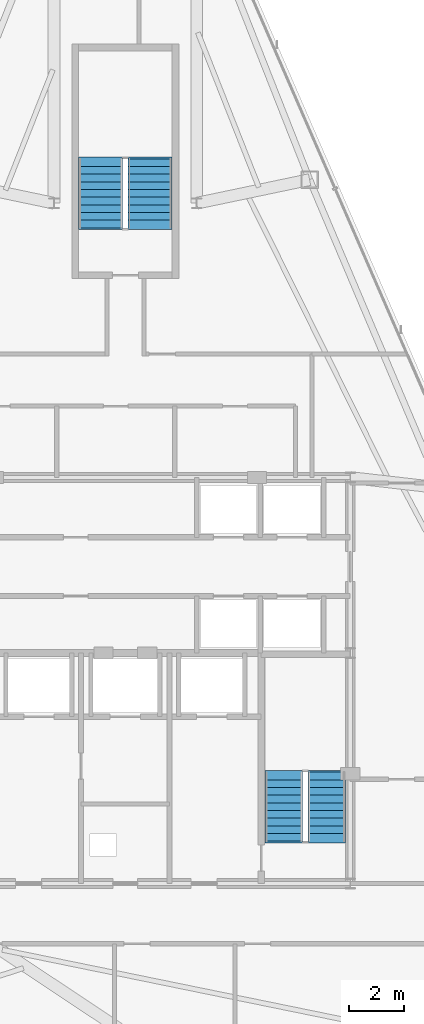
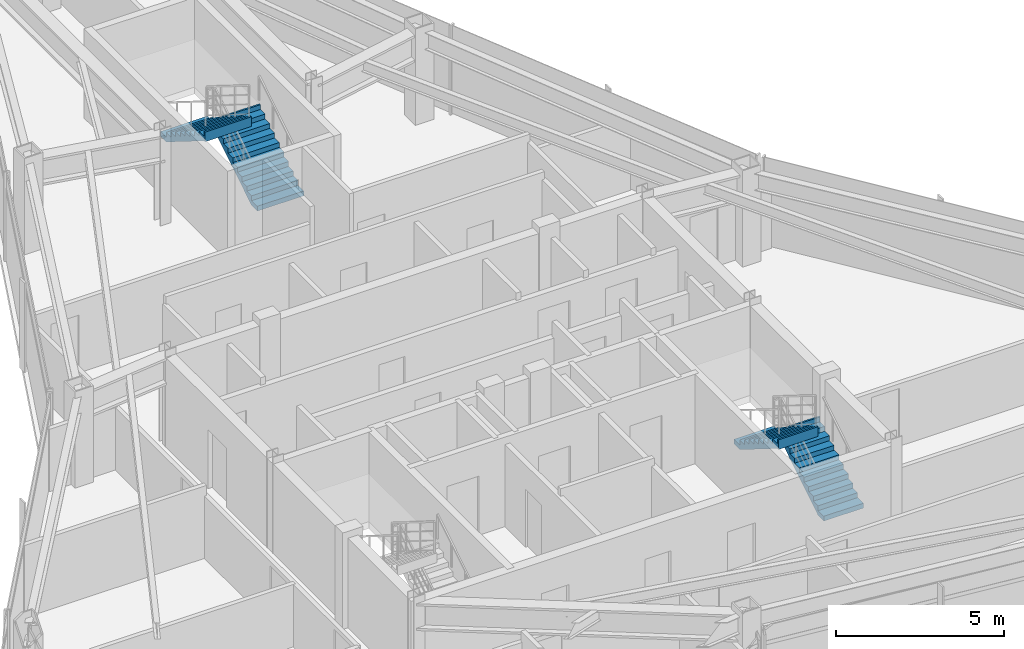
# One storey, part 11 of 12: 4 stair flights, 2 elements without a shape of their own.
"""IFC4 building model written with IfcOpenShell, lengths in metres."""

from ifc_helpers import new_model, si_unit, direction, frame, origin, place, context, subcontext, project, spatial, polyline, outline, extrude, material, type_object, element, aggregate, save


model = new_model("IFC4")

# Units and contexts
model_context = context("Model", 3, precision=1e-05, world=origin(), true_north=direction((0.0, 1.0)))
body_context = subcontext(model_context, "Body", "Model", "MODEL_VIEW")
ifc_project = project(units=[si_unit("LENGTHUNIT", "METRE"), si_unit("AREAUNIT", "SQUARE_METRE"), si_unit("VOLUMEUNIT", "CUBIC_METRE"), si_unit("PLANEANGLEUNIT", "RADIAN"), si_unit("MASSUNIT", "GRAM", prefix="KILO")], contexts=[model_context])

# Site, building, storey
site_placement = place(None, origin())
site = spatial("IfcSite", under=ifc_project, at=site_placement, CompositionType="ELEMENT")
building_placement = place(site_placement, origin())
building = spatial("IfcBuilding", under=site, at=building_placement, Name="Varakhsha Concourse Tower", CompositionType="ELEMENT")
storey_placement = place(building_placement, frame((0.0, 0.0, 283.0)))
storey = spatial("IfcBuildingStorey", under=building, at=storey_placement, Name="L80", CompositionType="ELEMENT", Elevation=283.0)

# Stair, stair flights
ifc_material = material(Name="Concrete fc 45 MPa", Category="concrete")
stair_type_1 = type_object("IfcStairType", Name="ST-DOGLEG-1360", PredefinedType="HALF_TURN_STAIR", material=ifc_material)
stair_1_placement = place(storey_placement, origin())
stair_1 = element("IfcStair", 1, at=stair_1_placement, inside=storey, type_object=stair_type_1, Name="L80 Protected Exit Stair ST2", PredefinedType="HALF_TURN_STAIR")
stair_flight_type_1 = type_object("IfcStairFlightType", Name="STF-1360-R1750", PredefinedType="STRAIGHT", material=ifc_material)
stair_flight_1_placement = place(storey_placement, frame((47.340087890625, 17.93994140625, 0.0), z_axis=(0.0, 0.0, 1.0), x_axis=(0.0, 1.0, 0.0)))
stair_flight_1 = element("IfcStairFlight", 2, at=stair_flight_1_placement, type_object=stair_flight_type_1, Name="ST2 flight 1", NumberOfRisers=10, NumberOfTreads=9, PredefinedType="STRAIGHT", RiserHeight=0.175, TreadLength=0.28, context=body_context, shape_type="SweptSolid", body=[
    extrude(outline(polyline([(-0.06005859375, 0.0), (-0.06005859375, 0.175048828125), (0.0, 0.175048828125), (0.280029296875, 0.175048828125), (0.280029296875, 0.35009765625), (0.56005859375, 0.35009765625), (0.56005859375, 0.52490234375), (0.840087890625, 0.52490234375), (0.840087890625, 0.699951171875), (1.1201171875, 0.699951171875), (1.1201171875, 0.875), (1.39990234375, 0.875), (1.39990234375, 1.050048828125), (1.679931640625, 1.050048828125), (1.679931640625, 1.22509765625), (1.9599609375, 1.22509765625), (1.9599609375, 1.39990234375), (2.239990234375, 1.39990234375), (2.239990234375, 1.574951171875), (2.52001953125, 1.574951171875), (2.52001953125, 1.75), (2.580078125, 1.75), (2.580078125, 1.398193359375), (2.52001953125, 1.398193359375), (0.28271484375, 0.0), (-0.06005859375, 0.0)])), frame((0.0, 0.68017578125, 0.0), z_axis=(0.0, -1.0, 0.0), x_axis=(1.0, 0.0, 0.0)), (0.0, 0.0, 1.0), 1.360107421875),
])
stair_flight_2_placement = place(storey_placement, frame((45.780029296875, 20.4599609375, 1.75), z_axis=(0.0, 0.0, 1.0), x_axis=(0.0, -1.0, 0.0)))
stair_flight_2 = element("IfcStairFlight", 3, at=stair_flight_2_placement, type_object=stair_flight_type_1, Name="ST2 flight 2", NumberOfRisers=10, NumberOfTreads=9, PredefinedType="STRAIGHT", RiserHeight=0.175, TreadLength=0.28, context=body_context, shape_type="SweptSolid", body=[
    extrude(outline(polyline([(-0.06005859375, 0.0), (-0.06005859375, 0.175048828125), (0.0, 0.175048828125), (0.280029296875, 0.175048828125), (0.280029296875, 0.35009765625), (0.56005859375, 0.35009765625), (0.56005859375, 0.52490234375), (0.840087890625, 0.52490234375), (0.840087890625, 0.699951171875), (1.1201171875, 0.699951171875), (1.1201171875, 0.875), (1.39990234375, 0.875), (1.39990234375, 1.050048828125), (1.679931640625, 1.050048828125), (1.679931640625, 1.22509765625), (1.9599609375, 1.22509765625), (1.9599609375, 1.39990234375), (2.239990234375, 1.39990234375), (2.239990234375, 1.574951171875), (2.52001953125, 1.574951171875), (2.52001953125, 1.75), (2.580078125, 1.75), (2.580078125, 1.398193359375), (2.52001953125, 1.398193359375), (0.28271484375, 0.0), (-0.06005859375, 0.0)])), frame((0.0, 0.68017578125, 0.0), z_axis=(0.0, -1.0, 0.0), x_axis=(1.0, 0.0, 0.0)), (0.0, 0.0, 1.0), 1.360107421875),
])
aggregate(stair_1, [stair_flight_1, stair_flight_2])

stair_type_2 = type_object("IfcStairType", Name="ST-DOGLEG-1600", PredefinedType="HALF_TURN_STAIR", material=ifc_material)
stair_2_placement = place(storey_placement, origin())
stair_2 = element("IfcStair", 4, at=stair_2_placement, inside=storey, type_object=stair_type_2, Name="L80 Protected Exit Stair ST5", PredefinedType="HALF_TURN_STAIR")
stair_flight_type_2 = type_object("IfcStairFlightType", Name="STF-1600-R1750", PredefinedType="STRAIGHT", material=ifc_material)
stair_flight_3_placement = place(storey_placement, frame((40.89990234375, 40.300048828125, 0.0), z_axis=(0.0, 0.0, 1.0), x_axis=(0.0, 1.0, 0.0)))
stair_flight_3 = element("IfcStairFlight", 5, at=stair_flight_3_placement, type_object=stair_flight_type_2, Name="ST5 flight 1", NumberOfRisers=10, NumberOfTreads=9, PredefinedType="STRAIGHT", RiserHeight=0.175, TreadLength=0.28, context=body_context, shape_type="SweptSolid", body=[
    extrude(outline(polyline([(-0.06005859375, 0.0), (-0.06005859375, 0.175048828125), (0.0, 0.175048828125), (0.280029296875, 0.175048828125), (0.280029296875, 0.35009765625), (0.56005859375, 0.35009765625), (0.56005859375, 0.52490234375), (0.840087890625, 0.52490234375), (0.840087890625, 0.699951171875), (1.1201171875, 0.699951171875), (1.1201171875, 0.875), (1.39990234375, 0.875), (1.39990234375, 1.050048828125), (1.679931640625, 1.050048828125), (1.679931640625, 1.22509765625), (1.9599609375, 1.22509765625), (1.9599609375, 1.39990234375), (2.239990234375, 1.39990234375), (2.239990234375, 1.574951171875), (2.52001953125, 1.574951171875), (2.52001953125, 1.75), (2.580078125, 1.75), (2.580078125, 1.398193359375), (2.52001953125, 1.398193359375), (0.28271484375, 0.0), (-0.06005859375, 0.0)])), frame((0.0, 0.800048828125, 0.0), z_axis=(0.0, -1.0, 0.0), x_axis=(1.0, 0.0, 0.0)), (0.0, 0.0, 1.0), 1.60009765625),
])
stair_flight_4_placement = place(storey_placement, frame((39.10009765625, 42.820068359375, 1.75), z_axis=(0.0, 0.0, 1.0), x_axis=(0.0, -1.0, 0.0)))
stair_flight_4 = element("IfcStairFlight", 6, at=stair_flight_4_placement, type_object=stair_flight_type_2, Name="ST5 flight 2", NumberOfRisers=10, NumberOfTreads=9, PredefinedType="STRAIGHT", RiserHeight=0.175, TreadLength=0.28, context=body_context, shape_type="SweptSolid", body=[
    extrude(outline(polyline([(-0.06005859375, 0.0), (-0.06005859375, 0.175048828125), (0.0, 0.175048828125), (0.280029296875, 0.175048828125), (0.280029296875, 0.35009765625), (0.56005859375, 0.35009765625), (0.56005859375, 0.52490234375), (0.840087890625, 0.52490234375), (0.840087890625, 0.699951171875), (1.1201171875, 0.699951171875), (1.1201171875, 0.875), (1.39990234375, 0.875), (1.39990234375, 1.050048828125), (1.679931640625, 1.050048828125), (1.679931640625, 1.22509765625), (1.9599609375, 1.22509765625), (1.9599609375, 1.39990234375), (2.239990234375, 1.39990234375), (2.239990234375, 1.574951171875), (2.52001953125, 1.574951171875), (2.52001953125, 1.75), (2.580078125, 1.75), (2.580078125, 1.398193359375), (2.52001953125, 1.398193359375), (0.28271484375, 0.0), (-0.06005859375, 0.0)])), frame((0.0, 0.800048828125, 0.0), z_axis=(0.0, -1.0, 0.0), x_axis=(1.0, 0.0, 0.0)), (0.0, 0.0, 1.0), 1.60009765625),
])
aggregate(stair_2, [stair_flight_3, stair_flight_4])

save(model, "model.ifc")
